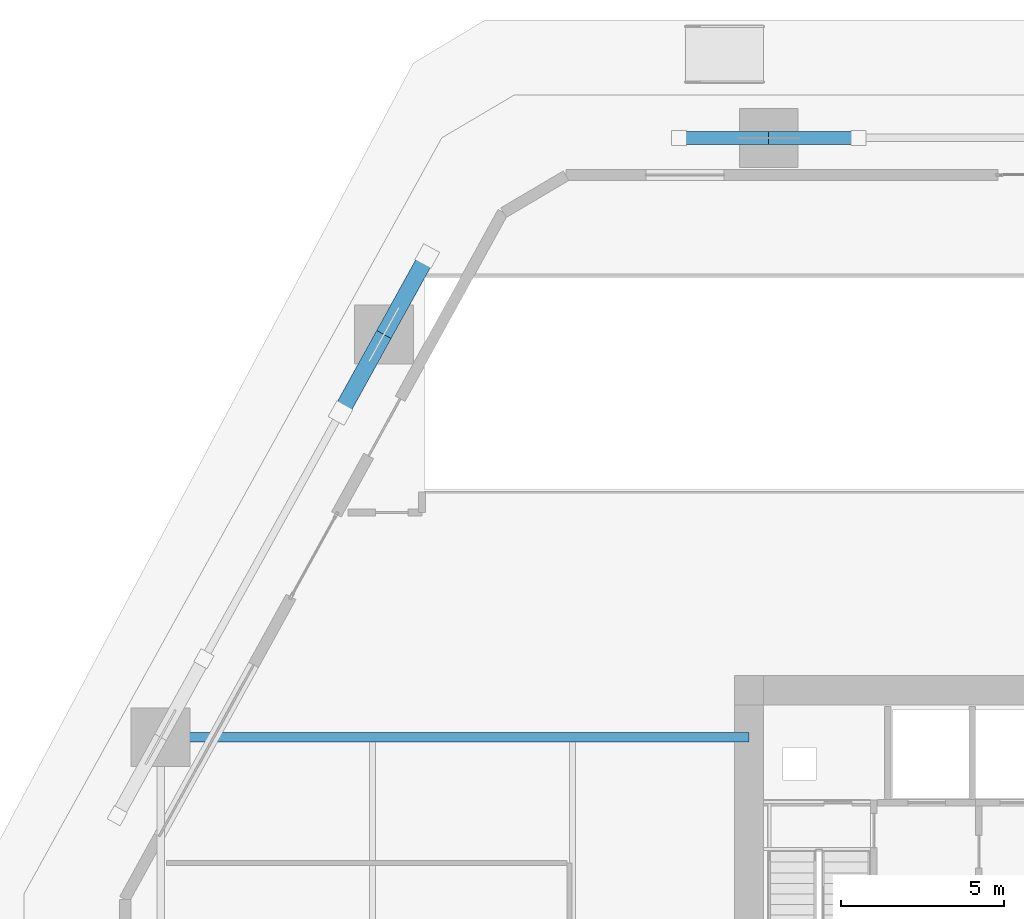
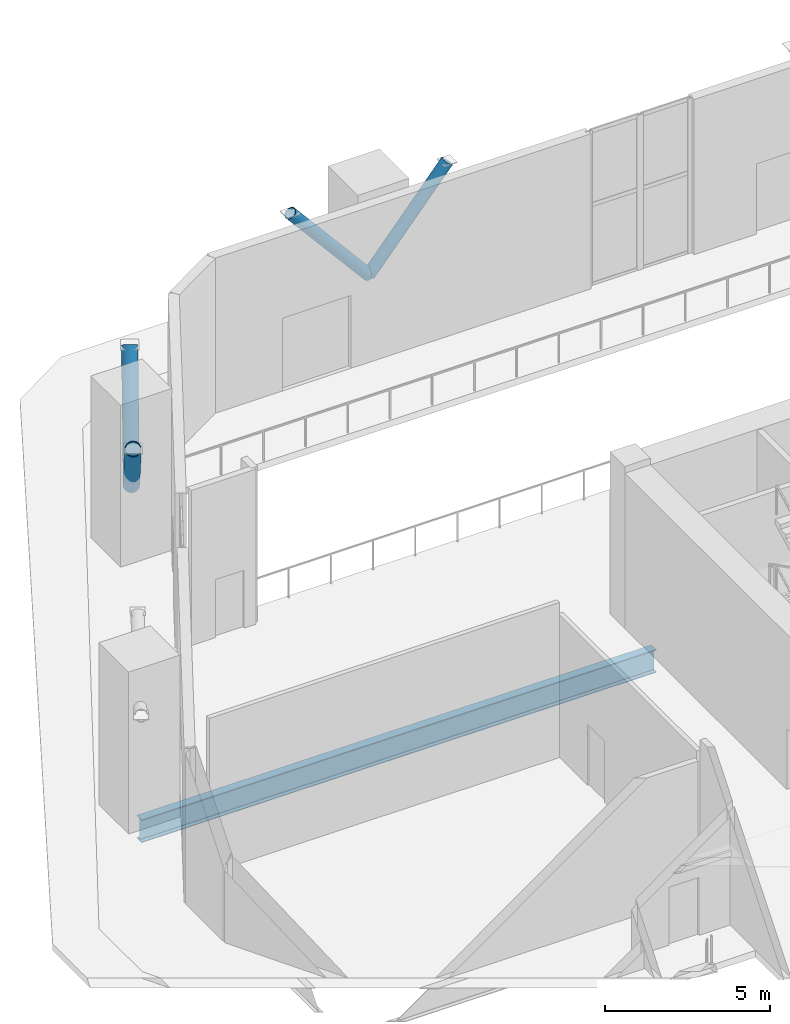
# One storey, part 11 of 22: 4 members, 1 beam.
"""IFC4 building model written with IfcOpenShell, lengths in metres."""

from ifc_helpers import new_model, si_unit, direction, frame, origin, origin_2d, place, context, subcontext, project, spatial, hollow_circle, i_section, extrude, material, material_profile, profile_set, type_object, element, save


model = new_model("IFC4")

# Units and contexts
model_context = context("Model", 3, precision=1e-05, world=origin(), true_north=direction((0.0, 1.0)))
body_context = subcontext(model_context, "Body", "Model", "MODEL_VIEW")
ifc_project = project(units=[si_unit("LENGTHUNIT", "METRE"), si_unit("AREAUNIT", "SQUARE_METRE"), si_unit("VOLUMEUNIT", "CUBIC_METRE"), si_unit("PLANEANGLEUNIT", "RADIAN"), si_unit("MASSUNIT", "GRAM", prefix="KILO")], contexts=[model_context])

# Site, building, storey
site_placement = place(None, origin())
site = spatial("IfcSite", under=ifc_project, at=site_placement, CompositionType="ELEMENT")
building_placement = place(site_placement, origin())
building = spatial("IfcBuilding", under=site, at=building_placement, Name="Cinnabar Lancet Tower", CompositionType="ELEMENT")
storey_placement = place(building_placement, origin())
storey = spatial("IfcBuildingStorey", under=building, at=storey_placement, Name="L00", CompositionType="ELEMENT", Elevation=0.0)

# Beam
ifc_material_1 = material(Name="Structural steel S355", Category="steel")
ifc_material_profile_1 = material_profile(ifc_material_1, i_section(OverallWidth=0.293701171875, OverallDepth=0.850830078125, WebThickness=0.01611328125, FlangeThickness=0.02685546875, FilletRadius=0.017822265625, at=origin_2d()), Name="UKB 838x292x226")
ifc_profile_set_1 = profile_set([ifc_material_profile_1], Name="Structural steel S355")
beam_type = type_object("IfcBeamType", Name="STR-BM-UKB838-226", PredefinedType="BEAM", material=ifc_profile_set_1)
beam_placement = place(storey_placement, frame((4.908935546875, 31.907958984375, -0.675048828125), z_axis=(1.0, 0.0, 0.0), x_axis=(0.0, 1.0, 0.0)))
element("IfcBeam", 1, at=beam_placement, inside=storey, type_object=beam_type, Name="L00 Primary Floor Girder 10", PredefinedType="BEAM", context=body_context, shape_type="SweptSolid", body=[
    extrude(i_section(OverallWidth=0.293701171875, OverallDepth=0.850830078125, WebThickness=0.01611328125, FlangeThickness=0.02685546875, FilletRadius=0.017822265625, at=origin_2d()), origin(), (0.0, 0.0, 1.0), 18.041015625),
])

# Members
ifc_material_2 = material(Name="Structural steel S460", Category="steel")
ifc_material_profile_2 = material_profile(ifc_material_2, hollow_circle(Radius=0.203125, WallThickness=0.02001953125, at=origin_2d()), Name="CHS 406.4x20")
ifc_profile_set_2 = profile_set([ifc_material_profile_2], Name="Structural steel S460")
member_type_1 = type_object("IfcMemberType", Name="STR-MEM-YPIL-406", PredefinedType="STRUT", material=ifc_profile_set_2)
for number, where, z_axis, x_axis, name in (
    (2, (23.554931640625, 50.282958984375, 2.199951171875), (0.645942241466, 0.0, 0.763386285369), (0.0, 1.0, 0.0), "Y-Pilotis Inclined Branch Strut 8A"),
    (3, (23.554931640625, 50.282958984375, 2.199951171875), (-0.645942241466, 0.0, 0.763386285369), (0.0, -1.0, 0.0), "Y-Pilotis Inclined Branch Strut 8B"),
):
    element("IfcMember", number, at=place(storey_placement, frame(where, z_axis=z_axis, x_axis=x_axis)), inside=storey, type_object=member_type_1, Name=name, PredefinedType="STRUT", context=body_context, shape_type="SweptSolid", body=[
        extrude(hollow_circle(Radius=0.203125, WallThickness=0.02001953125, at=origin_2d()), origin(), (0.0, 0.0, 1.0), 4.25732421875),
    ])
ifc_material_3 = material(Name="Structural steel S460", Category="steel")
ifc_material_profile_3 = material_profile(ifc_material_3, hollow_circle(Radius=0.25390625, WallThickness=0.02490234375, at=origin_2d()), Name="CHS 508x25")
ifc_profile_set_3 = profile_set([ifc_material_profile_3], Name="Structural steel S460")
member_type_2 = type_object("IfcMemberType", Name="STR-MEM-YPIL-508", PredefinedType="STRUT", material=ifc_profile_set_3)
for number, where, z_axis, x_axis, name in (
    (4, (11.757080078125, 44.256103515625, 2.199951171875), (0.312366273704, 0.565378941151, 0.76339633478), (-0.875293951247, 0.483591251896, 0.0), "Y-Pilotis Inclined Branch Strut 9A"),
    (5, (11.757080078125, 44.256103515625, 2.199951171875), (-0.312418023343, -0.5653688128, 0.763382659093), (0.875256370508, -0.483659266308, 0.0), "Y-Pilotis Inclined Branch Strut 9B"),
):
    element("IfcMember", number, at=place(storey_placement, frame(where, z_axis=z_axis, x_axis=x_axis)), inside=storey, type_object=member_type_2, Name=name, PredefinedType="STRUT", context=body_context, shape_type="SweptSolid", body=[
        extrude(hollow_circle(Radius=0.25390625, WallThickness=0.02490234375, at=origin_2d()), origin(), (0.0, 0.0, 1.0), 4.25732421875),
    ])

save(model, "model.ifc")
